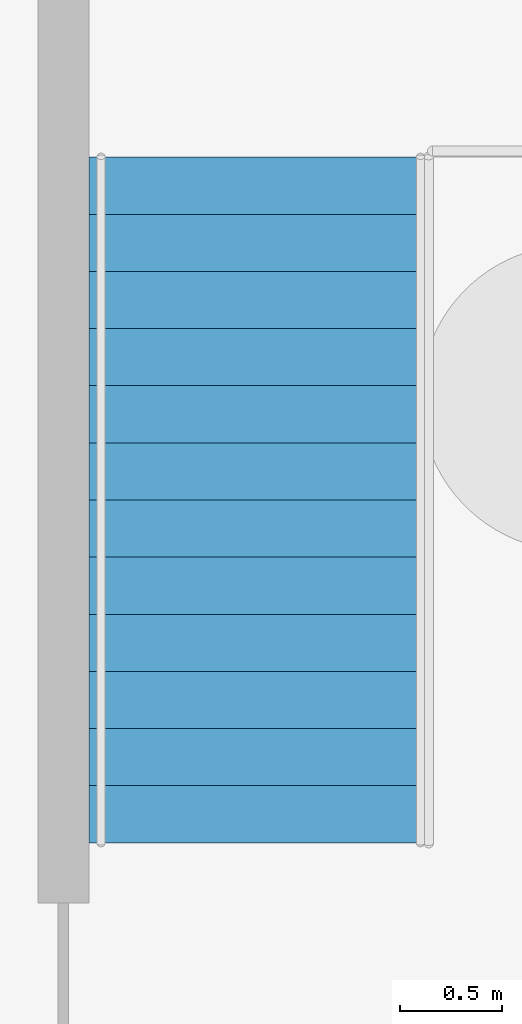
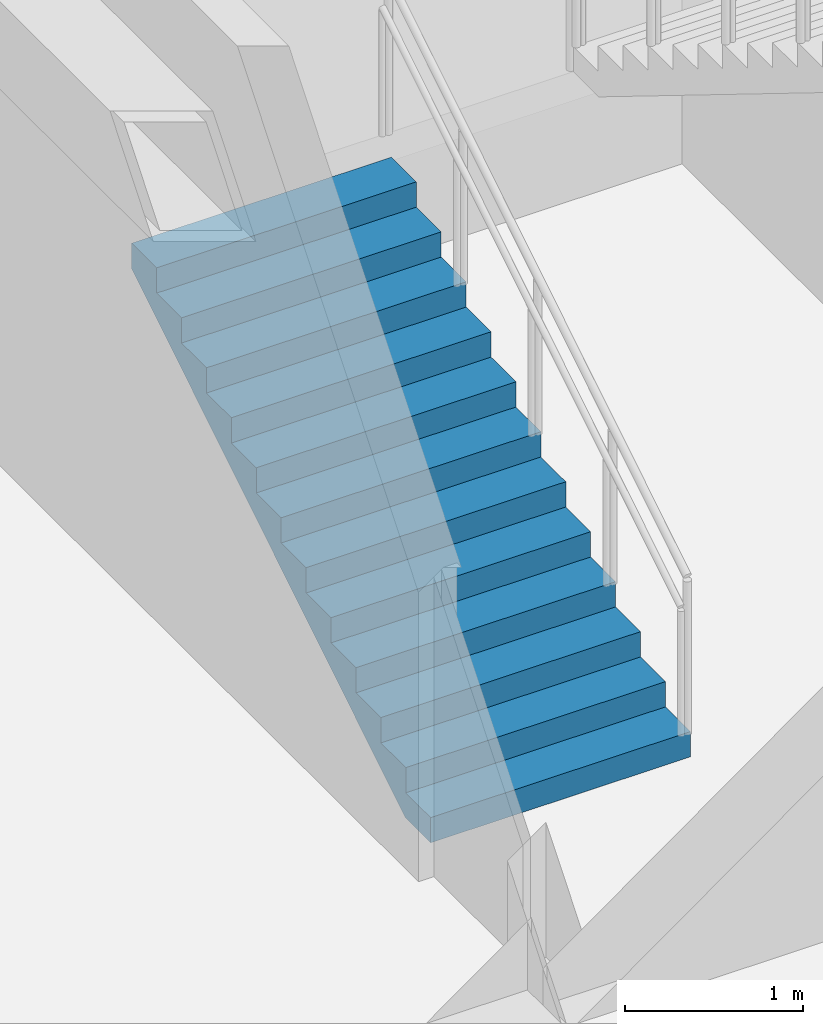
# One storey, part 13 of 28: 1 stair flight, 1 element without a shape of its own.
"""IFC4 building model written with IfcOpenShell, lengths in metres."""

from ifc_helpers import new_model, si_unit, direction, frame, origin, place, context, subcontext, project, spatial, triangles, material, type_object, element, aggregate, save


model = new_model("IFC4")

# Units and contexts
model_context = context("Model", 3, precision=1e-05, world=origin(), true_north=direction((0.0, 1.0)))
body_context = subcontext(model_context, "Body", "Model", "MODEL_VIEW")
ifc_project = project(units=[si_unit("LENGTHUNIT", "METRE"), si_unit("AREAUNIT", "SQUARE_METRE"), si_unit("VOLUMEUNIT", "CUBIC_METRE"), si_unit("PLANEANGLEUNIT", "RADIAN"), si_unit("MASSUNIT", "GRAM", prefix="KILO")], contexts=[model_context])

# Site, building, storey
site_placement = place(None, origin())
site = spatial("IfcSite", under=ifc_project, at=site_placement, CompositionType="ELEMENT")
building_placement = place(site_placement, origin())
building = spatial("IfcBuilding", under=site, at=building_placement, Name="Orbita Commons", CompositionType="ELEMENT")
storey_placement = place(building_placement, frame((0.0, 0.0, -9.0)))
storey = spatial("IfcBuildingStorey", under=building, at=storey_placement, Name="L-02", CompositionType="ELEMENT", Elevation=-9.0)

# Stair, stair flight
ifc_material_1 = material(Name="Precast concrete C40/50", Category="concrete")
stair_type = type_object("IfcStairType", Name="Podium exit stair 2 flights 13 risers 173", PredefinedType="HALF_TURN_STAIR", material=ifc_material_1)
stair_placement = place(storey_placement, origin())
stair = element("IfcStair", 1, at=stair_placement, inside=storey, type_object=stair_type, Name="Podium exit stair PS1 L-02", PredefinedType="HALF_TURN_STAIR")
ifc_material_2 = material(Name="Precast concrete C40/50", Category="concrete")
stair_flight_type = type_object("IfcStairFlightType", Name="Podium stair flight 13 risers 173 x 1685", PredefinedType="STRAIGHT", material=ifc_material_2)
stair_flight_placement = place(storey_placement, frame((7.5673828125, 29.820068359375, 0.0), z_axis=(0.0, 0.0, 1.0), x_axis=(0.0, 1.0, 0.0)))
stair_flight = element("IfcStairFlight", 2, at=stair_flight_placement, type_object=stair_flight_type, Name="PS1 flight 1", NumberOfRisers=13, NumberOfTreads=12, PredefinedType="STRAIGHT", RiserHeight=0.173076923, TreadLength=0.28, context=body_context, shape_type="Tessellation", body=[
    triangles([(0.0, 0.842529, 0.0), (0.0, 0.842529, 0.021635), (0.0, 0.702108, 0.021635), (0.0, 0.702108, 0.0), (0.0, 0.561686, 0.021635), (0.0, 0.561686, 0.0), (0.0, 0.421265, 0.021635), (0.0, 0.421265, 0.0), (0.0, 0.280843, 0.021635), (0.0, 0.280843, 0.0), (0.0, 0.140422, 0.021635), (0.0, 0.140422, 0.0), (0.0, 0.0, 0.021635), (0.0, 0.0, 0.0), (0.0, -0.140422, 0.021635), (0.0, -0.140422, 0.0), (0.0, -0.280843, 0.021635), (0.0, -0.280843, 0.0), (0.0, -0.421265, 0.021635), (0.0, -0.421265, 0.0), (0.0, -0.561686, 0.021635), (0.0, -0.561686, 0.0), (0.0, -0.702108, 0.021635), (0.0, -0.702108, 0.0), (0.0, -0.842529, 0.021635), (0.0, -0.842529, 0.0), (0.0, 0.842529, 0.043269), (0.0, 0.702108, 0.043269), (0.0, 0.561686, 0.043269), (0.0, 0.421265, 0.043269), (0.0, 0.280843, 0.043269), (0.0, 0.140422, 0.043269), (0.0, 0.0, 0.043269), (0.0, -0.140422, 0.043269), (0.0, -0.280843, 0.043269), (0.0, -0.421265, 0.043269), (0.0, -0.561686, 0.043269), (0.0, -0.702108, 0.043269), (0.0, -0.842529, 0.043269), (0.0, 0.842529, 0.064904), (0.0, 0.702108, 0.064904), (0.0, 0.561686, 0.064904), (0.0, 0.421265, 0.064904), (0.0, 0.280843, 0.064904), (0.0, 0.140422, 0.064904), (0.0, 0.0, 0.064904), (0.0, -0.140422, 0.064904), (0.0, -0.280843, 0.064904), (0.0, -0.421265, 0.064904), (0.0, -0.561686, 0.064904), (0.0, -0.702108, 0.064904), (0.0, -0.842529, 0.064904), (0.0, 0.842529, 0.086538), (0.0, 0.702108, 0.086538), (0.0, 0.561686, 0.086538), (0.0, 0.421265, 0.086538), (0.0, 0.280843, 0.086538), (0.0, 0.140422, 0.086538), (0.0, 0.0, 0.086538), (0.0, -0.140422, 0.086538), (0.0, -0.280843, 0.086538), (0.0, -0.421265, 0.086538), (0.0, -0.561686, 0.086538), (0.0, -0.702108, 0.086538), (0.0, -0.842529, 0.086538), (0.0, 0.842529, 0.108173), (0.0, 0.702108, 0.108173), (0.0, 0.561686, 0.108173), (0.0, 0.421265, 0.108173), (0.0, 0.280843, 0.108173), (0.0, 0.140422, 0.108173), (0.0, 0.0, 0.108173), (0.0, -0.140422, 0.108173), (0.0, -0.280843, 0.108173), (0.0, -0.421265, 0.108173), (0.0, -0.561686, 0.108173), (0.0, -0.702108, 0.108173), (0.0, -0.842529, 0.108173), (0.0, 0.842529, 0.129808), (0.0, 0.702108, 0.129808), (0.0, 0.561686, 0.129808), (0.0, 0.421265, 0.129808), (0.0, 0.280843, 0.129808), (0.0, 0.140422, 0.129808), (0.0, 0.0, 0.129808), (0.0, -0.140422, 0.129808), (0.0, -0.280843, 0.129808), (0.0, -0.421265, 0.129808), (0.0, -0.561686, 0.129808), (0.0, -0.702108, 0.129808), (0.0, -0.842529, 0.129808), (0.0, 0.842529, 0.151442), (0.0, 0.702108, 0.151442), (0.0, 0.561686, 0.151442), (0.0, 0.421265, 0.151442), (0.0, 0.280843, 0.151442), (0.0, 0.140422, 0.151442), (0.0, 0.0, 0.151442), (0.0, -0.140422, 0.151442), (0.0, -0.280843, 0.151442), (0.0, -0.421265, 0.151442), (0.0, -0.561686, 0.151442), (0.0, -0.702108, 0.151442), (0.0, -0.842529, 0.151442), (0.0, 0.842529, 0.173077), (0.0, 0.702108, 0.173077), (0.0, 0.561686, 0.173077), (0.0, 0.421265, 0.173077), (0.0, 0.280843, 0.173077), (0.0, 0.140422, 0.173077), (0.0, 0.0, 0.173077), (0.0, -0.140422, 0.173077), (0.0, -0.280843, 0.173077), (0.0, -0.421265, 0.173077), (0.0, -0.561686, 0.173077), (0.0, -0.702108, 0.173077), (0.0, -0.842529, 0.173077), (0.28, 0.842529, 0.173077), (0.28, 0.702108, 0.173077), (0.28, 0.561686, 0.173077), (0.28, 0.421265, 0.173077), (0.28, 0.280843, 0.173077), (0.28, 0.140422, 0.173077), (0.28, 0.0, 0.173077), (0.28, -0.140422, 0.173077), (0.28, -0.280843, 0.173077), (0.28, -0.421265, 0.173077), (0.28, -0.561686, 0.173077), (0.28, -0.702108, 0.173077), (0.28, -0.842529, 0.173077), (0.28, 0.842529, 0.346154), (0.28, 0.702108, 0.346154), (0.28, 0.561686, 0.346154), (0.28, 0.421265, 0.346154), (0.28, 0.280843, 0.346154), (0.28, 0.140422, 0.346154), (0.28, 0.0, 0.346154), (0.28, -0.140422, 0.346154), (0.28, -0.280843, 0.346154), (0.28, -0.421265, 0.346154), (0.28, -0.561686, 0.346154), (0.28, -0.702108, 0.346154), (0.28, -0.842529, 0.346154), (0.56, 0.842529, 0.346154), (0.56, 0.702108, 0.346154), (0.56, 0.561686, 0.346154), (0.56, 0.421265, 0.346154), (0.56, 0.280843, 0.346154), (0.56, 0.140422, 0.346154), (0.56, 0.0, 0.346154), (0.56, -0.140422, 0.346154), (0.56, -0.280843, 0.346154), (0.56, -0.421265, 0.346154), (0.56, -0.561686, 0.346154), (0.56, -0.702108, 0.346154), (0.56, -0.842529, 0.346154), (0.56, 0.842529, 0.519231), (0.56, 0.702108, 0.519231), (0.56, 0.561686, 0.519231), (0.56, 0.421265, 0.519231), (0.56, 0.280843, 0.519231), (0.56, 0.140422, 0.519231), (0.56, 0.0, 0.519231), (0.56, -0.140422, 0.519231), (0.56, -0.280843, 0.519231), (0.56, -0.421265, 0.519231), (0.56, -0.561686, 0.519231), (0.56, -0.702108, 0.519231), (0.56, -0.842529, 0.519231), (0.84, 0.842529, 0.519231), (0.84, 0.702108, 0.519231), (0.84, 0.561686, 0.519231), (0.84, 0.421265, 0.519231), (0.84, 0.280843, 0.519231), (0.84, 0.140422, 0.519231), (0.84, 0.0, 0.519231), (0.84, -0.140422, 0.519231), (0.84, -0.280843, 0.519231), (0.84, -0.421265, 0.519231), (0.84, -0.561686, 0.519231), (0.84, -0.702108, 0.519231), (0.84, -0.842529, 0.519231), (0.84, 0.842529, 0.692308), (0.84, 0.702108, 0.692308), (0.84, 0.561686, 0.692308), (0.84, 0.421265, 0.692308), (0.84, 0.280843, 0.692308), (0.84, 0.140422, 0.692308), (0.84, 0.0, 0.692308), (0.84, -0.140422, 0.692308), (0.84, -0.280843, 0.692308), (0.84, -0.421265, 0.692308), (0.84, -0.561686, 0.692308), (0.84, -0.702108, 0.692308), (0.84, -0.842529, 0.692308), (1.12, 0.842529, 0.692308), (1.12, 0.702108, 0.692308), (1.12, 0.561686, 0.692308), (1.12, 0.421265, 0.692308), (1.12, 0.280843, 0.692308), (1.12, 0.140422, 0.692308), (1.12, 0.0, 0.692308), (1.12, -0.140422, 0.692308), (1.12, -0.280843, 0.692308), (1.12, -0.421265, 0.692308), (1.12, -0.561686, 0.692308), (1.12, -0.702108, 0.692308), (1.12, -0.842529, 0.692308), (1.12, 0.842529, 0.865385), (1.12, 0.702108, 0.865385), (1.12, 0.561686, 0.865385), (1.12, 0.421265, 0.865385), (1.12, 0.280843, 0.865385), (1.12, 0.140422, 0.865385), (1.12, 0.0, 0.865385), (1.12, -0.140422, 0.865385), (1.12, -0.280843, 0.865385), (1.12, -0.421265, 0.865385), (1.12, -0.561686, 0.865385), (1.12, -0.702108, 0.865385), (1.12, -0.842529, 0.865385), (1.4, 0.842529, 0.865385), (1.4, 0.702108, 0.865385), (1.4, 0.561686, 0.865385), (1.4, 0.421265, 0.865385), (1.4, 0.280843, 0.865385), (1.4, 0.140422, 0.865385), (1.4, 0.0, 0.865385), (1.4, -0.140422, 0.865385), (1.4, -0.280843, 0.865385), (1.4, -0.421265, 0.865385), (1.4, -0.561686, 0.865385), (1.4, -0.702108, 0.865385), (1.4, -0.842529, 0.865385), (1.4, 0.842529, 1.038462), (1.4, 0.702108, 1.038462), (1.4, 0.561686, 1.038462), (1.4, 0.421265, 1.038462), (1.4, 0.280843, 1.038462), (1.4, 0.140422, 1.038462), (1.4, 0.0, 1.038462), (1.4, -0.140422, 1.038462), (1.4, -0.280843, 1.038462), (1.4, -0.421265, 1.038462), (1.4, -0.561686, 1.038462), (1.4, -0.702108, 1.038462), (1.4, -0.842529, 1.038462), (1.68, 0.842529, 1.038462), (1.68, 0.702108, 1.038462), (1.68, 0.561686, 1.038462), (1.68, 0.421265, 1.038462), (1.68, 0.280843, 1.038462), (1.68, 0.140422, 1.038462), (1.68, 0.0, 1.038462), (1.68, -0.140422, 1.038462), (1.68, -0.280843, 1.038462), (1.68, -0.421265, 1.038462), (1.68, -0.561686, 1.038462), (1.68, -0.702108, 1.038462), (1.68, -0.842529, 1.038462), (1.68, 0.842529, 1.211538), (1.68, 0.702108, 1.211538), (1.68, 0.561686, 1.211538), (1.68, 0.421265, 1.211538), (1.68, 0.280843, 1.211538), (1.68, 0.140422, 1.211538), (1.68, 0.0, 1.211538), (1.68, -0.140422, 1.211538), (1.68, -0.280843, 1.211538), (1.68, -0.421265, 1.211538), (1.68, -0.561686, 1.211538), (1.68, -0.702108, 1.211538), (1.68, -0.842529, 1.211538), (1.96, 0.842529, 1.211538), (1.96, 0.702108, 1.211538), (1.96, 0.561686, 1.211538), (1.96, 0.421265, 1.211538), (1.96, 0.280843, 1.211538), (1.96, 0.140422, 1.211538), (1.96, 0.0, 1.211538), (1.96, -0.140422, 1.211538), (1.96, -0.280843, 1.211538), (1.96, -0.421265, 1.211538), (1.96, -0.561686, 1.211538), (1.96, -0.702108, 1.211538), (1.96, -0.842529, 1.211538), (1.96, 0.842529, 1.384615), (1.96, 0.702108, 1.384615), (1.96, 0.561686, 1.384615), (1.96, 0.421265, 1.384615), (1.96, 0.280843, 1.384615), (1.96, 0.140422, 1.384615), (1.96, 0.0, 1.384615), (1.96, -0.140422, 1.384615), (1.96, -0.280843, 1.384615), (1.96, -0.421265, 1.384615), (1.96, -0.561686, 1.384615), (1.96, -0.702108, 1.384615), (1.96, -0.842529, 1.384615), (2.24, 0.842529, 1.384615), (2.24, 0.702108, 1.384615), (2.24, 0.561686, 1.384615), (2.24, 0.421265, 1.384615), (2.24, 0.280843, 1.384615), (2.24, 0.140422, 1.384615), (2.24, 0.0, 1.384615), (2.24, -0.140422, 1.384615), (2.24, -0.280843, 1.384615), (2.24, -0.421265, 1.384615), (2.24, -0.561686, 1.384615), (2.24, -0.702108, 1.384615), (2.24, -0.842529, 1.384615), (2.24, 0.842529, 1.557692), (2.24, 0.702108, 1.557692), (2.24, 0.561686, 1.557692), (2.24, 0.421265, 1.557692), (2.24, 0.280843, 1.557692), (2.24, 0.140422, 1.557692), (2.24, 0.0, 1.557692), (2.24, -0.140422, 1.557692), (2.24, -0.280843, 1.557692), (2.24, -0.421265, 1.557692), (2.24, -0.561686, 1.557692), (2.24, -0.702108, 1.557692), (2.24, -0.842529, 1.557692), (2.52, 0.842529, 1.557692), (2.52, 0.702108, 1.557692), (2.52, 0.561686, 1.557692), (2.52, 0.421265, 1.557692), (2.52, 0.280843, 1.557692), (2.52, 0.140422, 1.557692), (2.52, 0.0, 1.557692), (2.52, -0.140422, 1.557692), (2.52, -0.280843, 1.557692), (2.52, -0.421265, 1.557692), (2.52, -0.561686, 1.557692), (2.52, -0.702108, 1.557692), (2.52, -0.842529, 1.557692), (2.52, 0.842529, 1.730769), (2.52, 0.702108, 1.730769), (2.52, 0.561686, 1.730769), (2.52, 0.421265, 1.730769), (2.52, 0.280843, 1.730769), (2.52, 0.140422, 1.730769), (2.52, 0.0, 1.730769), (2.52, -0.140422, 1.730769), (2.52, -0.280843, 1.730769), (2.52, -0.421265, 1.730769), (2.52, -0.561686, 1.730769), (2.52, -0.702108, 1.730769), (2.52, -0.842529, 1.730769), (2.8, 0.842529, 1.730769), (2.8, 0.702108, 1.730769), (2.8, 0.561686, 1.730769), (2.8, 0.421265, 1.730769), (2.8, 0.280843, 1.730769), (2.8, 0.140422, 1.730769), (2.8, 0.0, 1.730769), (2.8, -0.140422, 1.730769), (2.8, -0.280843, 1.730769), (2.8, -0.421265, 1.730769), (2.8, -0.561686, 1.730769), (2.8, -0.702108, 1.730769), (2.8, -0.842529, 1.730769), (2.8, 0.842529, 1.903846), (2.8, 0.702108, 1.903846), (2.8, 0.561686, 1.903846), (2.8, 0.421265, 1.903846), (2.8, 0.280843, 1.903846), (2.8, 0.140422, 1.903846), (2.8, 0.0, 1.903846), (2.8, -0.140422, 1.903846), (2.8, -0.280843, 1.903846), (2.8, -0.421265, 1.903846), (2.8, -0.561686, 1.903846), (2.8, -0.702108, 1.903846), (2.8, -0.842529, 1.903846), (3.08, 0.842529, 1.903846), (3.08, 0.702108, 1.903846), (3.08, 0.561686, 1.903846), (3.08, 0.421265, 1.903846), (3.08, 0.280843, 1.903846), (3.08, 0.140422, 1.903846), (3.08, 0.0, 1.903846), (3.08, -0.140422, 1.903846), (3.08, -0.280843, 1.903846), (3.08, -0.421265, 1.903846), (3.08, -0.561686, 1.903846), (3.08, -0.702108, 1.903846), (3.08, -0.842529, 1.903846), (3.08, 0.842529, 2.076923), (3.08, 0.702108, 2.076923), (3.08, 0.561686, 2.076923), (3.08, 0.421265, 2.076923), (3.08, 0.280843, 2.076923), (3.08, 0.140422, 2.076923), (3.08, 0.0, 2.076923), (3.08, -0.140422, 2.076923), (3.08, -0.280843, 2.076923), (3.08, -0.421265, 2.076923), (3.08, -0.561686, 2.076923), (3.08, -0.702108, 2.076923), (3.08, -0.842529, 2.076923), (3.36, 0.842529, 2.076923), (3.36, 0.702108, 2.076923), (3.36, 0.561686, 2.076923), (3.36, 0.421265, 2.076923), (3.36, 0.280843, 2.076923), (3.36, 0.140422, 2.076923), (3.36, 0.0, 2.076923), (3.36, -0.140422, 2.076923), (3.36, -0.280843, 2.076923), (3.36, -0.421265, 2.076923), (3.36, -0.561686, 2.076923), (3.36, -0.702108, 2.076923), (3.36, -0.842529, 2.076923), (3.36, 0.842529, 2.054895), (3.36, 0.702108, 2.054895), (3.36, 0.561686, 2.054895), (3.36, 0.421265, 2.054895), (3.36, 0.280843, 2.054895), (3.36, 0.140422, 2.054895), (3.36, 0.0, 2.054895), (3.36, -0.140422, 2.054895), (3.36, -0.280843, 2.054895), (3.36, -0.421265, 2.054895), (3.36, -0.561686, 2.054895), (3.36, -0.702108, 2.054895), (3.36, -0.842529, 2.054895), (3.36, 0.842529, 2.032866), (3.36, 0.702108, 2.032866), (3.36, 0.561686, 2.032866), (3.36, 0.421265, 2.032866), (3.36, 0.280843, 2.032866), (3.36, 0.140422, 2.032866), (3.36, 0.0, 2.032866), (3.36, -0.140422, 2.032866), (3.36, -0.280843, 2.032866), (3.36, -0.421265, 2.032866), (3.36, -0.561686, 2.032866), (3.36, -0.702108, 2.032866), (3.36, -0.842529, 2.032866), (3.36, 0.842529, 2.010837), (3.36, 0.702108, 2.010837), (3.36, 0.561686, 2.010837), (3.36, 0.421265, 2.010837), (3.36, 0.280843, 2.010837), (3.36, 0.140422, 2.010837), (3.36, 0.0, 2.010837), (3.36, -0.140422, 2.010837), (3.36, -0.280843, 2.010837), (3.36, -0.421265, 2.010837), (3.36, -0.561686, 2.010837), (3.36, -0.702108, 2.010837), (3.36, -0.842529, 2.010837), (3.36, 0.842529, 1.988809), (3.36, 0.702108, 1.988809), (3.36, 0.561686, 1.988809), (3.36, 0.421265, 1.988809), (3.36, 0.280843, 1.988809), (3.36, 0.140422, 1.988809), (3.36, 0.0, 1.988809), (3.36, -0.140422, 1.988809), (3.36, -0.280843, 1.988809), (3.36, -0.421265, 1.988809), (3.36, -0.561686, 1.988809), (3.36, -0.702108, 1.988809), (3.36, -0.842529, 1.988809), (3.36, 0.842529, 1.96678), (3.36, 0.702108, 1.96678), (3.36, 0.561686, 1.96678), (3.36, 0.421265, 1.96678), (3.36, 0.280843, 1.96678), (3.36, 0.140422, 1.96678), (3.36, 0.0, 1.96678), (3.36, -0.140422, 1.96678), (3.36, -0.280843, 1.96678), (3.36, -0.421265, 1.96678), (3.36, -0.561686, 1.96678), (3.36, -0.702108, 1.96678), (3.36, -0.842529, 1.96678), (3.36, 0.842529, 1.944752), (3.36, 0.702108, 1.944752), (3.36, 0.561686, 1.944752), (3.36, 0.421265, 1.944752), (3.36, 0.280843, 1.944752), (3.36, 0.140422, 1.944752), (3.36, 0.0, 1.944752), (3.36, -0.140422, 1.944752), (3.36, -0.280843, 1.944752), (3.36, -0.421265, 1.944752), (3.36, -0.561686, 1.944752), (3.36, -0.702108, 1.944752), (3.36, -0.842529, 1.944752), (3.36, 0.842529, 1.922723), (3.36, 0.702108, 1.922723), (3.36, 0.561686, 1.922723), (3.36, 0.421265, 1.922723), (3.36, 0.280843, 1.922723), (3.36, 0.140422, 1.922723), (3.36, 0.0, 1.922723), (3.36, -0.140422, 1.922723), (3.36, -0.280843, 1.922723), (3.36, -0.421265, 1.922723), (3.36, -0.561686, 1.922723), (3.36, -0.702108, 1.922723), (3.36, -0.842529, 1.922723), (3.36, 0.842529, 1.900695), (3.36, 0.702108, 1.900695), (3.36, 0.561686, 1.900695), (3.36, 0.421265, 1.900695), (3.36, 0.280843, 1.900695), (3.36, 0.140422, 1.900695), (3.36, 0.0, 1.900695), (3.36, -0.140422, 1.900695), (3.36, -0.280843, 1.900695), (3.36, -0.421265, 1.900695), (3.36, -0.561686, 1.900695), (3.36, -0.702108, 1.900695), (3.36, -0.842529, 1.900695), (0.285099, 0.842529, 0.0), (0.285099, 0.702108, 0.0), (0.285099, 0.561686, 0.0), (0.285099, 0.421265, 0.0), (0.285099, 0.280843, 0.0), (0.285099, 0.140422, 0.0), (0.285099, 0.0, 0.0), (0.285099, -0.140422, 0.0), (0.285099, -0.280843, 0.0), (0.285099, -0.421265, 0.0), (0.285099, -0.561686, 0.0), (0.285099, -0.702108, 0.0), (0.285099, -0.842529, 0.0)], [[3, 2, 1], [4, 3, 1], [5, 3, 4], [6, 5, 4], [7, 5, 6], [8, 7, 6], [9, 7, 8], [10, 9, 8], [11, 9, 10], [12, 11, 10], [13, 11, 12], [14, 13, 12], [15, 13, 14], [16, 15, 14], [17, 15, 16], [18, 17, 16], [19, 17, 18], [20, 19, 18], [21, 19, 20], [22, 21, 20], [23, 21, 22], [24, 23, 22], [25, 23, 24], [26, 25, 24], [28, 27, 2], [3, 28, 2], [29, 28, 3], [5, 29, 3], [30, 29, 5], [7, 30, 5], [31, 30, 7], [9, 31, 7], [32, 31, 9], [11, 32, 9], [33, 32, 11], [13, 33, 11], [34, 33, 13], [15, 34, 13], [35, 34, 15], [17, 35, 15], [36, 35, 17], [19, 36, 17], [37, 36, 19], [21, 37, 19], [38, 37, 21], [23, 38, 21], [39, 38, 23], [25, 39, 23], [41, 40, 27], [28, 41, 27], [42, 41, 28], [29, 42, 28], [43, 42, 29], [30, 43, 29], [44, 43, 30], [31, 44, 30], [45, 44, 31], [32, 45, 31], [46, 45, 32], [33, 46, 32], [47, 46, 33], [34, 47, 33], [48, 47, 34], [35, 48, 34], [49, 48, 35], [36, 49, 35], [50, 49, 36], [37, 50, 36], [51, 50, 37], [38, 51, 37], [52, 51, 38], [39, 52, 38], [54, 53, 40], [41, 54, 40], [55, 54, 41], [42, 55, 41], [56, 55, 42], [43, 56, 42], [57, 56, 43], [44, 57, 43], [58, 57, 44], [45, 58, 44], [59, 58, 45], [46, 59, 45], [60, 59, 46], [47, 60, 46], [61, 60, 47], [48, 61, 47], [62, 61, 48], [49, 62, 48], [63, 62, 49], [50, 63, 49], [64, 63, 50], [51, 64, 50], [65, 64, 51], [52, 65, 51], [67, 66, 53], [54, 67, 53], [68, 67, 54], [55, 68, 54], [69, 68, 55], [56, 69, 55], [70, 69, 56], [57, 70, 56], [71, 70, 57], [58, 71, 57], [72, 71, 58], [59, 72, 58], [73, 72, 59], [60, 73, 59], [74, 73, 60], [61, 74, 60], [75, 74, 61], [62, 75, 61], [76, 75, 62], [63, 76, 62], [77, 76, 63], [64, 77, 63], [78, 77, 64], [65, 78, 64], [80, 79, 66], [67, 80, 66], [81, 80, 67], [68, 81, 67], [82, 81, 68], [69, 82, 68], [83, 82, 69], [70, 83, 69], [84, 83, 70], [71, 84, 70], [85, 84, 71], [72, 85, 71], [86, 85, 72], [73, 86, 72], [87, 86, 73], [74, 87, 73], [88, 87, 74], [75, 88, 74], [89, 88, 75], [76, 89, 75], [90, 89, 76], [77, 90, 76], [91, 90, 77], [78, 91, 77], [93, 92, 79], [80, 93, 79], [94, 93, 80], [81, 94, 80], [95, 94, 81], [82, 95, 81], [96, 95, 82], [83, 96, 82], [97, 96, 83], [84, 97, 83], [98, 97, 84], [85, 98, 84], [99, 98, 85], [86, 99, 85], [100, 99, 86], [87, 100, 86], [101, 100, 87], [88, 101, 87], [102, 101, 88], [89, 102, 88], [103, 102, 89], [90, 103, 89], [104, 103, 90], [91, 104, 90], [106, 105, 92], [93, 106, 92], [107, 106, 93], [94, 107, 93], [108, 107, 94], [95, 108, 94], [109, 108, 95], [96, 109, 95], [110, 109, 96], [97, 110, 96], [111, 110, 97], [98, 111, 97], [112, 111, 98], [99, 112, 98], [113, 112, 99], [100, 113, 99], [114, 113, 100], [101, 114, 100], [115, 114, 101], [102, 115, 101], [116, 115, 102], [103, 116, 102], [117, 116, 103], [104, 117, 103], [119, 118, 105], [106, 119, 105], [120, 119, 106], [107, 120, 106], [121, 120, 107], [108, 121, 107], [122, 121, 108], [109, 122, 108], [123, 122, 109], [110, 123, 109], [124, 123, 110], [111, 124, 110], [125, 124, 111], [112, 125, 111], [126, 125, 112], [113, 126, 112], [127, 126, 113], [114, 127, 113], [128, 127, 114], [115, 128, 114], [129, 128, 115], [116, 129, 115], [130, 129, 116], [117, 130, 116], [132, 131, 118], [119, 132, 118], [133, 132, 119], [120, 133, 119], [134, 133, 120], [121, 134, 120], [135, 134, 121], [122, 135, 121], [136, 135, 122], [123, 136, 122], [137, 136, 123], [124, 137, 123], [138, 137, 124], [125, 138, 124], [139, 138, 125], [126, 139, 125], [140, 139, 126], [127, 140, 126], [141, 140, 127], [128, 141, 127], [142, 141, 128], [129, 142, 128], [143, 142, 129], [130, 143, 129], [145, 144, 131], [132, 145, 131], [146, 145, 132], [133, 146, 132], [147, 146, 133], [134, 147, 133], [148, 147, 134], [135, 148, 134], [149, 148, 135], [136, 149, 135], [150, 149, 136], [137, 150, 136], [151, 150, 137], [138, 151, 137], [152, 151, 138], [139, 152, 138], [153, 152, 139], [140, 153, 139], [154, 153, 140], [141, 154, 140], [155, 154, 141], [142, 155, 141], [156, 155, 142], [143, 156, 142], [158, 157, 144], [145, 158, 144], [159, 158, 145], [146, 159, 145], [160, 159, 146], [147, 160, 146], [161, 160, 147], [148, 161, 147], [162, 161, 148], [149, 162, 148], [163, 162, 149], [150, 163, 149], [164, 163, 150], [151, 164, 150], [165, 164, 151], [152, 165, 151], [166, 165, 152], [153, 166, 152], [167, 166, 153], [154, 167, 153], [168, 167, 154], [155, 168, 154], [169, 168, 155], [156, 169, 155], [171, 170, 157], [158, 171, 157], [172, 171, 158], [159, 172, 158], [173, 172, 159], [160, 173, 159], [174, 173, 160], [161, 174, 160], [175, 174, 161], [162, 175, 161], [176, 175, 162], [163, 176, 162], [177, 176, 163], [164, 177, 163], [178, 177, 164], [165, 178, 164], [179, 178, 165], [166, 179, 165], [180, 179, 166], [167, 180, 166], [181, 180, 167], [168, 181, 167], [182, 181, 168], [169, 182, 168], [184, 183, 170], [171, 184, 170], [185, 184, 171], [172, 185, 171], [186, 185, 172], [173, 186, 172], [187, 186, 173], [174, 187, 173], [188, 187, 174], [175, 188, 174], [189, 188, 175], [176, 189, 175], [190, 189, 176], [177, 190, 176], [191, 190, 177], [178, 191, 177], [192, 191, 178], [179, 192, 178], [193, 192, 179], [180, 193, 179], [194, 193, 180], [181, 194, 180], [195, 194, 181], [182, 195, 181], [197, 196, 183], [184, 197, 183], [198, 197, 184], [185, 198, 184], [199, 198, 185], [186, 199, 185], [200, 199, 186], [187, 200, 186], [201, 200, 187], [188, 201, 187], [202, 201, 188], [189, 202, 188], [203, 202, 189], [190, 203, 189], [204, 203, 190], [191, 204, 190], [205, 204, 191], [192, 205, 191], [206, 205, 192], [193, 206, 192], [207, 206, 193], [194, 207, 193], [208, 207, 194], [195, 208, 194], [210, 209, 196], [197, 210, 196], [211, 210, 197], [198, 211, 197], [212, 211, 198], [199, 212, 198], [213, 212, 199], [200, 213, 199], [214, 213, 200], [201, 214, 200], [215, 214, 201], [202, 215, 201], [216, 215, 202], [203, 216, 202], [217, 216, 203], [204, 217, 203], [218, 217, 204], [205, 218, 204], [219, 218, 205], [206, 219, 205], [220, 219, 206], [207, 220, 206], [221, 220, 207], [208, 221, 207], [223, 222, 209], [210, 223, 209], [224, 223, 210], [211, 224, 210], [225, 224, 211], [212, 225, 211], [226, 225, 212], [213, 226, 212], [227, 226, 213], [214, 227, 213], [228, 227, 214], [215, 228, 214], [229, 228, 215], [216, 229, 215], [230, 229, 216], [217, 230, 216], [231, 230, 217], [218, 231, 217], [232, 231, 218], [219, 232, 218], [233, 232, 219], [220, 233, 219], [234, 233, 220], [221, 234, 220], [236, 235, 222], [223, 236, 222], [237, 236, 223], [224, 237, 223], [238, 237, 224], [225, 238, 224], [239, 238, 225], [226, 239, 225], [240, 239, 226], [227, 240, 226], [241, 240, 227], [228, 241, 227], [242, 241, 228], [229, 242, 228], [243, 242, 229], [230, 243, 229], [244, 243, 230], [231, 244, 230], [245, 244, 231], [232, 245, 231], [246, 245, 232], [233, 246, 232], [247, 246, 233], [234, 247, 233], [249, 248, 235], [236, 249, 235], [250, 249, 236], [237, 250, 236], [251, 250, 237], [238, 251, 237], [252, 251, 238], [239, 252, 238], [253, 252, 239], [240, 253, 239], [254, 253, 240], [241, 254, 240], [255, 254, 241], [242, 255, 241], [256, 255, 242], [243, 256, 242], [257, 256, 243], [244, 257, 243], [258, 257, 244], [245, 258, 244], [259, 258, 245], [246, 259, 245], [260, 259, 246], [247, 260, 246], [262, 261, 248], [249, 262, 248], [263, 262, 249], [250, 263, 249], [264, 263, 250], [251, 264, 250], [265, 264, 251], [252, 265, 251], [266, 265, 252], [253, 266, 252], [267, 266, 253], [254, 267, 253], [268, 267, 254], [255, 268, 254], [269, 268, 255], [256, 269, 255], [270, 269, 256], [257, 270, 256], [271, 270, 257], [258, 271, 257], [272, 271, 258], [259, 272, 258], [273, 272, 259], [260, 273, 259], [275, 274, 261], [262, 275, 261], [276, 275, 262], [263, 276, 262], [277, 276, 263], [264, 277, 263], [278, 277, 264], [265, 278, 264], [279, 278, 265], [266, 279, 265], [280, 279, 266], [267, 280, 266], [281, 280, 267], [268, 281, 267], [282, 281, 268], [269, 282, 268], [283, 282, 269], [270, 283, 269], [284, 283, 270], [271, 284, 270], [285, 284, 271], [272, 285, 271], [286, 285, 272], [273, 286, 272], [288, 287, 274], [275, 288, 274], [289, 288, 275], [276, 289, 275], [290, 289, 276], [277, 290, 276], [291, 290, 277], [278, 291, 277], [292, 291, 278], [279, 292, 278], [293, 292, 279], [280, 293, 279], [294, 293, 280], [281, 294, 280], [295, 294, 281], [282, 295, 281], [296, 295, 282], [283, 296, 282], [297, 296, 283], [284, 297, 283], [298, 297, 284], [285, 298, 284], [299, 298, 285], [286, 299, 285], [301, 300, 287], [288, 301, 287], [302, 301, 288], [289, 302, 288], [303, 302, 289], [290, 303, 289], [304, 303, 290], [291, 304, 290], [305, 304, 291], [292, 305, 291], [306, 305, 292], [293, 306, 292], [307, 306, 293], [294, 307, 293], [308, 307, 294], [295, 308, 294], [309, 308, 295], [296, 309, 295], [310, 309, 296], [297, 310, 296], [311, 310, 297], [298, 311, 297], [312, 311, 298], [299, 312, 298], [314, 313, 300], [301, 314, 300], [315, 314, 301], [302, 315, 301], [316, 315, 302], [303, 316, 302], [317, 316, 303], [304, 317, 303], [318, 317, 304], [305, 318, 304], [319, 318, 305], [306, 319, 305], [320, 319, 306], [307, 320, 306], [321, 320, 307], [308, 321, 307], [322, 321, 308], [309, 322, 308], [323, 322, 309], [310, 323, 309], [324, 323, 310], [311, 324, 310], [325, 324, 311], [312, 325, 311], [327, 326, 313], [314, 327, 313], [328, 327, 314], [315, 328, 314], [329, 328, 315], [316, 329, 315], [330, 329, 316], [317, 330, 316], [331, 330, 317], [318, 331, 317], [332, 331, 318], [319, 332, 318], [333, 332, 319], [320, 333, 319], [334, 333, 320], [321, 334, 320], [335, 334, 321], [322, 335, 321], [336, 335, 322], [323, 336, 322], [337, 336, 323], [324, 337, 323], [338, 337, 324], [325, 338, 324], [340, 339, 326], [327, 340, 326], [341, 340, 327], [328, 341, 327], [342, 341, 328], [329, 342, 328], [343, 342, 329], [330, 343, 329], [344, 343, 330], [331, 344, 330], [345, 344, 331], [332, 345, 331], [346, 345, 332], [333, 346, 332], [347, 346, 333], [334, 347, 333], [348, 347, 334], [335, 348, 334], [349, 348, 335], [336, 349, 335], [350, 349, 336], [337, 350, 336], [351, 350, 337], [338, 351, 337], [353, 352, 339], [340, 353, 339], [354, 353, 340], [341, 354, 340], [355, 354, 341], [342, 355, 341], [356, 355, 342], [343, 356, 342], [357, 356, 343], [344, 357, 343], [358, 357, 344], [345, 358, 344], [359, 358, 345], [346, 359, 345], [360, 359, 346], [347, 360, 346], [361, 360, 347], [348, 361, 347], [362, 361, 348], [349, 362, 348], [363, 362, 349], [350, 363, 349], [364, 363, 350], [351, 364, 350], [366, 365, 352], [353, 366, 352], [367, 366, 353], [354, 367, 353], [368, 367, 354], [355, 368, 354], [369, 368, 355], [356, 369, 355], [370, 369, 356], [357, 370, 356], [371, 370, 357], [358, 371, 357], [372, 371, 358], [359, 372, 358], [373, 372, 359], [360, 373, 359], [374, 373, 360], [361, 374, 360], [375, 374, 361], [362, 375, 361], [376, 375, 362], [363, 376, 362], [377, 376, 363], [364, 377, 363], [379, 378, 365], [366, 379, 365], [380, 379, 366], [367, 380, 366], [381, 380, 367], [368, 381, 367], [382, 381, 368], [369, 382, 368], [383, 382, 369], [370, 383, 369], [384, 383, 370], [371, 384, 370], [385, 384, 371], [372, 385, 371], [386, 385, 372], [373, 386, 372], [387, 386, 373], [374, 387, 373], [388, 387, 374], [375, 388, 374], [389, 388, 375], [376, 389, 375], [390, 389, 376], [377, 390, 376], [392, 391, 378], [379, 392, 378], [393, 392, 379], [380, 393, 379], [394, 393, 380], [381, 394, 380], [395, 394, 381], [382, 395, 381], [396, 395, 382], [383, 396, 382], [397, 396, 383], [384, 397, 383], [398, 397, 384], [385, 398, 384], [399, 398, 385], [386, 399, 385], [400, 399, 386], [387, 400, 386], [401, 400, 387], [388, 401, 387], [402, 401, 388], [389, 402, 388], [403, 402, 389], [390, 403, 389], [405, 404, 391], [392, 405, 391], [406, 405, 392], [393, 406, 392], [407, 406, 393], [394, 407, 393], [408, 407, 394], [395, 408, 394], [409, 408, 395], [396, 409, 395], [410, 409, 396], [397, 410, 396], [411, 410, 397], [398, 411, 397], [412, 411, 398], [399, 412, 398], [413, 412, 399], [400, 413, 399], [414, 413, 400], [401, 414, 400], [415, 414, 401], [402, 415, 401], [416, 415, 402], [403, 416, 402], [418, 417, 404], [405, 418, 404], [419, 418, 405], [406, 419, 405], [420, 419, 406], [407, 420, 406], [421, 420, 407], [408, 421, 407], [422, 421, 408], [409, 422, 408], [423, 422, 409], [410, 423, 409], [424, 423, 410], [411, 424, 410], [425, 424, 411], [412, 425, 411], [426, 425, 412], [413, 426, 412], [427, 426, 413], [414, 427, 413], [428, 427, 414], [415, 428, 414], [429, 428, 415], [416, 429, 415], [431, 430, 417], [418, 431, 417], [432, 431, 418], [419, 432, 418], [433, 432, 419], [420, 433, 419], [434, 433, 420], [421, 434, 420], [435, 434, 421], [422, 435, 421], [436, 435, 422], [423, 436, 422], [437, 436, 423], [424, 437, 423], [438, 437, 424], [425, 438, 424], [439, 438, 425], [426, 439, 425], [440, 439, 426], [427, 440, 426], [441, 440, 427], [428, 441, 427], [442, 441, 428], [429, 442, 428], [444, 443, 430], [431, 444, 430], [445, 444, 431], [432, 445, 431], [446, 445, 432], [433, 446, 432], [447, 446, 433], [434, 447, 433], [448, 447, 434], [435, 448, 434], [449, 448, 435], [436, 449, 435], [450, 449, 436], [437, 450, 436], [451, 450, 437], [438, 451, 437], [452, 451, 438], [439, 452, 438], [453, 452, 439], [440, 453, 439], [454, 453, 440], [441, 454, 440], [455, 454, 441], [442, 455, 441], [457, 456, 443], [444, 457, 443], [458, 457, 444], [445, 458, 444], [459, 458, 445], [446, 459, 445], [460, 459, 446], [447, 460, 446], [461, 460, 447], [448, 461, 447], [462, 461, 448], [449, 462, 448], [463, 462, 449], [450, 463, 449], [464, 463, 450], [451, 464, 450], [465, 464, 451], [452, 465, 451], [466, 465, 452], [453, 466, 452], [467, 466, 453], [454, 467, 453], [468, 467, 454], [455, 468, 454], [470, 469, 456], [457, 470, 456], [471, 470, 457], [458, 471, 457], [472, 471, 458], [459, 472, 458], [473, 472, 459], [460, 473, 459], [474, 473, 460], [461, 474, 460], [475, 474, 461], [462, 475, 461], [476, 475, 462], [463, 476, 462], [477, 476, 463], [464, 477, 463], [478, 477, 464], [465, 478, 464], [479, 478, 465], [466, 479, 465], [480, 479, 466], [467, 480, 466], [481, 480, 467], [468, 481, 467], [483, 482, 469], [470, 483, 469], [484, 483, 470], [471, 484, 470], [485, 484, 471], [472, 485, 471], [486, 485, 472], [473, 486, 472], [487, 486, 473], [474, 487, 473], [488, 487, 474], [475, 488, 474], [489, 488, 475], [476, 489, 475], [490, 489, 476], [477, 490, 476], [491, 490, 477], [478, 491, 477], [492, 491, 478], [479, 492, 478], [493, 492, 479], [480, 493, 479], [494, 493, 480], [481, 494, 480], [496, 495, 482], [483, 496, 482], [497, 496, 483], [484, 497, 483], [498, 497, 484], [485, 498, 484], [499, 498, 485], [486, 499, 485], [500, 499, 486], [487, 500, 486], [501, 500, 487], [488, 501, 487], [502, 501, 488], [489, 502, 488], [503, 502, 489], [490, 503, 489], [504, 503, 490], [491, 504, 490], [505, 504, 491], [492, 505, 491], [506, 505, 492], [493, 506, 492], [507, 506, 493], [494, 507, 493], [509, 508, 495], [496, 509, 495], [510, 509, 496], [497, 510, 496], [511, 510, 497], [498, 511, 497], [512, 511, 498], [499, 512, 498], [513, 512, 499], [500, 513, 499], [514, 513, 500], [501, 514, 500], [515, 514, 501], [502, 515, 501], [516, 515, 502], [503, 516, 502], [517, 516, 503], [504, 517, 503], [518, 517, 504], [505, 518, 504], [519, 518, 505], [506, 519, 505], [520, 519, 506], [507, 520, 506], [522, 521, 508], [509, 522, 508], [523, 522, 509], [510, 523, 509], [524, 523, 510], [511, 524, 510], [525, 524, 511], [512, 525, 511], [526, 525, 512], [513, 526, 512], [527, 526, 513], [514, 527, 513], [528, 527, 514], [515, 528, 514], [529, 528, 515], [516, 529, 515], [530, 529, 516], [517, 530, 516], [531, 530, 517], [518, 531, 517], [532, 531, 518], [519, 532, 518], [533, 532, 519], [520, 533, 519], [4, 1, 521], [522, 4, 521], [6, 4, 522], [523, 6, 522], [8, 6, 523], [524, 8, 523], [10, 8, 524], [525, 10, 524], [12, 10, 525], [526, 12, 525], [14, 12, 526], [527, 14, 526], [16, 14, 527], [528, 16, 527], [18, 16, 528], [529, 18, 528], [20, 18, 529], [530, 20, 529], [22, 20, 530], [531, 22, 530], [24, 22, 531], [532, 24, 531], [26, 24, 532], [533, 26, 532], [508, 521, 1], [26, 533, 520], [495, 508, 1], [26, 520, 507], [482, 495, 1], [26, 507, 494], [469, 482, 1], [26, 494, 481], [456, 469, 1], [26, 481, 468], [443, 456, 1], [26, 468, 455], [430, 443, 1], [26, 455, 442], [417, 430, 1], [26, 442, 429], [391, 404, 417], [429, 416, 403], [378, 391, 417], [429, 403, 390], [352, 365, 378], [390, 377, 364], [352, 378, 417], [429, 390, 364], [326, 339, 352], [364, 351, 338], [326, 352, 417], [429, 364, 338], [300, 313, 326], [338, 325, 312], [300, 326, 417], [429, 338, 312], [274, 287, 300], [312, 299, 286], [274, 300, 417], [429, 312, 286], [248, 261, 274], [286, 273, 260], [248, 274, 417], [429, 286, 260], [222, 235, 248], [260, 247, 234], [222, 248, 417], [429, 260, 234], [196, 209, 222], [234, 221, 208], [196, 222, 417], [429, 234, 208], [170, 183, 196], [208, 195, 182], [170, 196, 417], [429, 208, 182], [144, 157, 170], [182, 169, 156], [144, 170, 417], [429, 182, 156], [118, 131, 144], [156, 143, 130], [118, 144, 417], [429, 156, 130], [118, 417, 1], [26, 429, 130], [92, 105, 118], [130, 117, 104], [79, 92, 118], [130, 104, 91], [66, 79, 118], [130, 91, 78], [53, 66, 118], [130, 78, 65], [40, 53, 118], [130, 65, 52], [27, 40, 118], [130, 52, 39], [2, 27, 118], [130, 39, 25], [1, 2, 118], [130, 25, 26]], closed=True),
])
aggregate(stair, [stair_flight])

save(model, "model.ifc")
